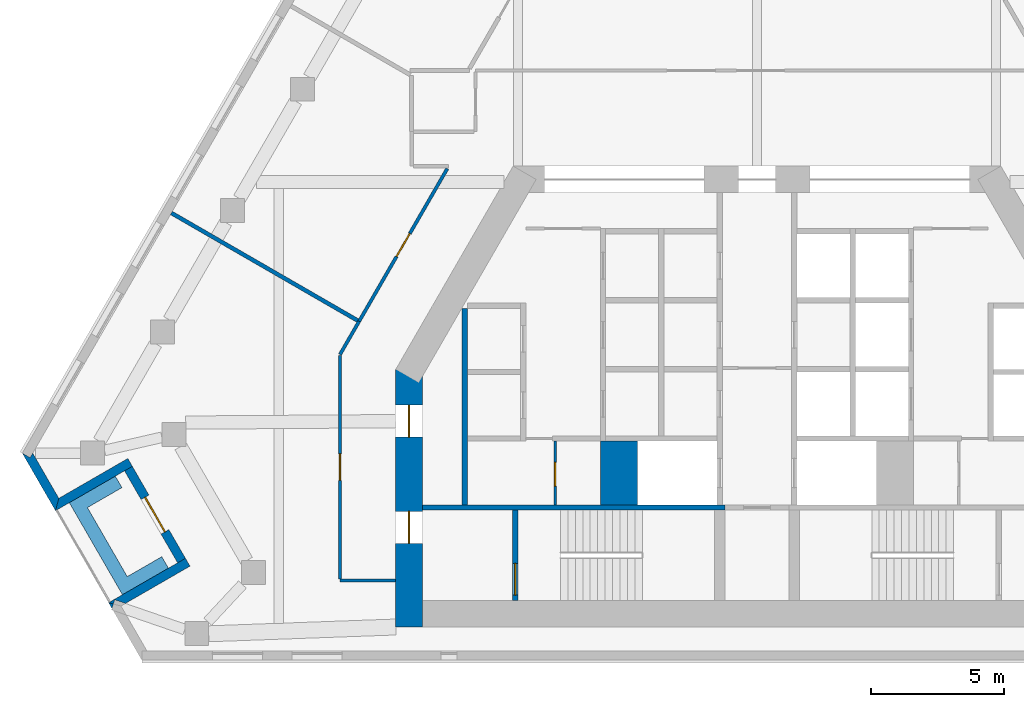
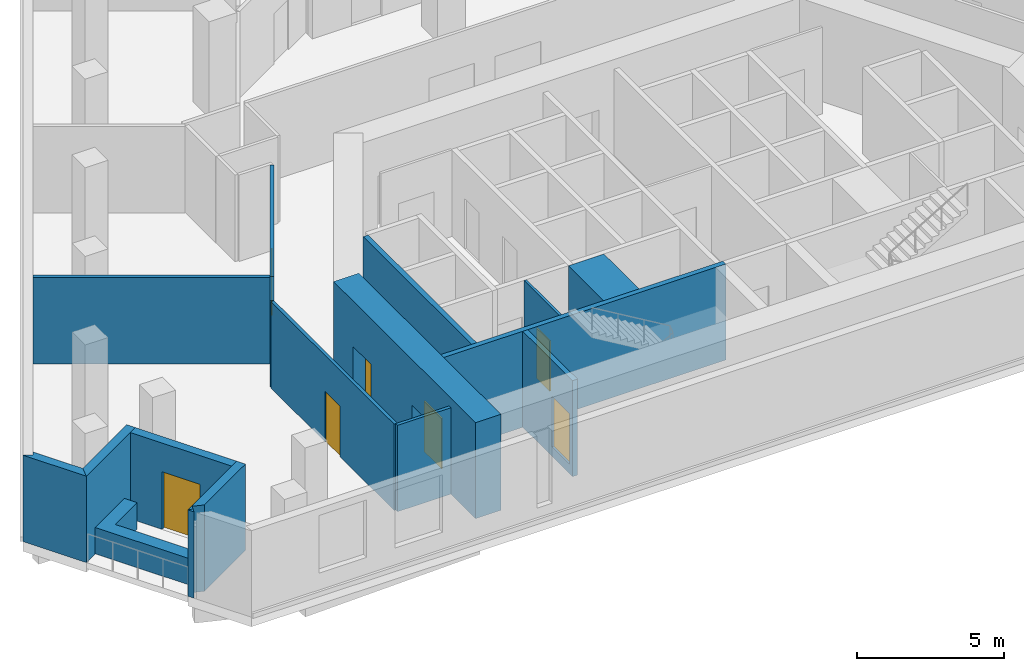
# One storey, part 3 of 9: 17 walls, 7 doors, 7 openings.
"""IFC4 building model written with IfcOpenShell, lengths in metres."""

from ifc_helpers import new_model, si_unit, direction, frame, frame_2d, origin, place, context, subcontext, project, spatial, polyline, rectangle, outline, extrude, material, layer, layer_set, type_object, element, fill, save


model = new_model("IFC4")

# Units and contexts
model_context = context("Model", 3, precision=1e-05, world=origin(), true_north=direction((0.0, 1.0)))
body_context = subcontext(model_context, "Body", "Model", "MODEL_VIEW")
ifc_project = project(units=[si_unit("LENGTHUNIT", "METRE"), si_unit("AREAUNIT", "SQUARE_METRE"), si_unit("VOLUMEUNIT", "CUBIC_METRE"), si_unit("PLANEANGLEUNIT", "RADIAN"), si_unit("MASSUNIT", "GRAM", prefix="KILO")], contexts=[model_context])

# Site, building, storey
site_placement = place(None, origin())
site = spatial("IfcSite", under=ifc_project, at=site_placement, CompositionType="ELEMENT")
building_placement = place(site_placement, origin())
building = spatial("IfcBuilding", under=site, at=building_placement, Name="Fogline Exchange Tower", CompositionType="ELEMENT")
storey_placement = place(building_placement, frame((0.0, 0.0, 194.10009765625)))
storey = spatial("IfcBuildingStorey", under=building, at=storey_placement, Name="L43", CompositionType="ELEMENT", Elevation=194.10009765625)

# Wall, opening, door
ifc_material_1 = material(Name="Blockwork partition", Category="masonry")
ifc_layer_1 = layer(ifc_material_1, 0.10009765625)
ifc_layer_set_1 = layer_set([ifc_layer_1], Name="CW10")
wall_type_1 = type_object("IfcWallType", Name="CW10", PredefinedType="PARTITIONING", material=ifc_layer_set_1)
wall_1_placement = place(storey_placement, frame((-7.60009765625, 5.85009765625, 0.0), z_axis=(0.0, 0.0, 1.0), x_axis=(0.0, 1.0, 0.0)))
wall_1 = element("IfcWall", 1, at=wall_1_placement, inside=storey, type_object=wall_type_1, Name="WC partition", PredefinedType="PARTITIONING", context=body_context, shape_type="SweptSolid", body=[
    extrude(rectangle(XDim=2.39990234375, YDim=0.10009765625, at=frame_2d((1.199951171875, 0.0))), origin(), (0.0, 0.0, 1.0), 3.599853515625),
])
opening_1_placement = place(wall_1_placement, frame((0.699951171875, 0.0, 0.0)))
opening_1 = element("IfcOpeningElement", 2, at=opening_1_placement, cuts=wall_1, Name="Opening T14-C013", PredefinedType="OPENING", context=body_context, shape_type="SweptSolid", body=[
    extrude(rectangle(XDim=0.89990234375, YDim=2.10009765625, at=frame_2d((0.449951171875, 1.050048828125))), frame((0.0, 0.06005859375, 0.0), z_axis=(0.0, -1.0, 0.0), x_axis=(1.0, 0.0, 0.0)), (0.0, 0.0, 1.0), 0.1201171875),
])
ifc_material_2 = material(Name="Steel and timber fire door", Category="steel")
door_type_1 = type_object("IfcDoorType", Name="D-CS1", OperationType="SINGLE_SWING_RIGHT", PredefinedType="DOOR", material=ifc_material_2)
door_1_placement = place(opening_1_placement, frame((0.89990234375, 0.0, 0.0), z_axis=(0.0, 0.0, 1.0), x_axis=(-1.0, 0.0, 0.0)))
door_1 = element("IfcDoor", 3, at=door_1_placement, inside=storey, type_object=door_type_1, Name="Door to Cleaner's Store", OperationType="SINGLE_SWING_RIGHT", OverallHeight=2.10009765625, OverallWidth=0.89990234375, PredefinedType="DOOR", context=body_context, shape_type="SweptSolid", body=[
    extrude(rectangle(XDim=0.89990234375, YDim=2.10009765625, at=frame_2d((0.449951171875, 1.050048828125))), frame((0.0, 0.02490234375, 0.0), z_axis=(0.0, -1.0, 0.0), x_axis=(1.0, 0.0, 0.0)), (0.0, 0.0, 1.0), 0.050048828125),
])
fill(opening_1, door_1)

# Walls
ifc_material_3 = material(Name="Concrete C60", Category="concrete")
ifc_layer_2 = layer(ifc_material_3, 1.39990234375)
ifc_layer_set_2 = layer_set([ifc_layer_2], Name="CW140")
wall_type_2 = type_object("IfcWallType", Name="CW140", PredefinedType="SOLIDWALL", material=ifc_layer_set_2)
wall_2_placement = place(storey_placement, frame((-5.199951171875, 5.85009765625, -0.400146484375), z_axis=(0.0, 0.0, 1.0), x_axis=(0.0, 1.0, 0.0)))
element("IfcWall", 4, at=wall_2_placement, inside=storey, type_object=wall_type_2, Name="Lift shaft block wall", PredefinedType="SOLIDWALL", context=body_context, shape_type="SweptSolid", body=[
    extrude(rectangle(XDim=2.39990234375, YDim=1.39990234375, at=frame_2d((1.199951171875, 0.0))), origin(), (0.0, 0.0, 1.0), 4.0),
])
ifc_material_4 = material(Name="Concrete C40", Category="concrete")
ifc_layer_3 = layer(ifc_material_4, 0.199951171875)
ifc_layer_set_3 = layer_set([ifc_layer_3], Name="CW20")
wall_type_3 = type_object("IfcWallType", Name="CW20", PredefinedType="SOLIDWALL", material=ifc_layer_set_3)
wall_3_placement = place(storey_placement, frame((-11.0, 5.85009765625, 0.0), z_axis=(0.0, 0.0, 1.0), x_axis=(0.0, 1.0, 0.0)))
element("IfcWall", 5, at=wall_3_placement, inside=storey, type_object=wall_type_3, Name="Service room wall", PredefinedType="SOLIDWALL", context=body_context, shape_type="SweptSolid", body=[
    extrude(rectangle(XDim=7.39990234375, YDim=0.199951171875, at=frame_2d((3.699951171875, 0.0))), origin(), (0.0, 0.0, 1.0), 3.599853515625),
])
ifc_layer_4 = layer(ifc_material_4, 0.199951171875)
ifc_layer_set_4 = layer_set([ifc_layer_4], Name="CW20R")
wall_type_4 = type_object("IfcWallType", Name="CW20R", PredefinedType="SOLIDWALL", material=ifc_layer_set_4)
wall_4_placement = place(storey_placement, frame((-12.60009765625, 5.75, -0.400146484375), z_axis=(0.0, 0.0, 1.0), x_axis=(1.0, 0.0, 0.0)))
element("IfcWall", 6, at=wall_4_placement, inside=storey, type_object=wall_type_4, Name="Stair enclosure wall", PredefinedType="SOLIDWALL", context=body_context, shape_type="SweptSolid", body=[
    extrude(rectangle(XDim=11.400146484375, YDim=0.199951171875, at=frame_2d((5.7001953125, 0.0))), origin(), (0.0, 0.0, 1.0), 4.0),
])

# Wall, opening, door
wall_5_placement = place(storey_placement, frame((-9.10009765625, 2.25, -0.400146484375), z_axis=(0.0, 0.0, 1.0), x_axis=(0.0, 1.0, 0.0)))
wall_5 = element("IfcWall", 7, at=wall_5_placement, inside=storey, type_object=wall_type_4, Name="Stair enclosure wall", PredefinedType="SOLIDWALL", context=body_context, shape_type="SweptSolid", body=[
    extrude(rectangle(XDim=3.39990234375, YDim=0.199951171875, at=frame_2d((1.699951171875, 0.0))), origin(), (0.0, 0.0, 1.0), 4.0),
])
opening_2_placement = place(wall_5_placement, frame((0.199951171875, 0.0, 0.39990234375)))
opening_2 = element("IfcOpeningElement", 8, at=opening_2_placement, cuts=wall_5, Name="Opening T14-C015", PredefinedType="OPENING", context=body_context, shape_type="SweptSolid", body=[
    extrude(rectangle(XDim=1.199951171875, YDim=2.10009765625, at=frame_2d((0.60009765625, 1.050048828125))), frame((0.0, 0.10986328125, 0.0), z_axis=(0.0, -1.0, 0.0), x_axis=(1.0, 0.0, 0.0)), (0.0, 0.0, 1.0), 0.219970703125),
])
door_type_2 = type_object("IfcDoorType", Name="D-ST1", OperationType="SINGLE_SWING_LEFT", PredefinedType="DOOR", material=ifc_material_2)
door_2_placement = place(opening_2_placement, frame((1.199951171875, 0.0, 0.0), z_axis=(0.0, 0.0, 1.0), x_axis=(-1.0, 0.0, 0.0)))
door_2 = element("IfcDoor", 9, at=door_2_placement, inside=storey, type_object=door_type_2, Name="Stair door ST1", OperationType="SINGLE_SWING_RIGHT", OverallHeight=2.10009765625, OverallWidth=1.199951171875, PredefinedType="DOOR", context=body_context, shape_type="SweptSolid", body=[
    extrude(rectangle(XDim=1.199951171875, YDim=2.10009765625, at=frame_2d((0.60009765625, 1.050048828125))), frame((0.0, 0.02490234375, 0.0), z_axis=(0.0, -1.0, 0.0), x_axis=(1.0, 0.0, 0.0)), (0.0, 0.0, 1.0), 0.050048828125),
])
fill(opening_2, door_2)

# Walls
ifc_material_5 = material(Name="Brick masonry", Category="masonry")
ifc_layer_5 = layer(ifc_material_5, 0.340087890625)
ifc_layer_set_5 = layer_set([ifc_layer_5], Name="FW1")
wall_type_5 = type_object("IfcWallType", Name="FW1", PredefinedType="SOLIDWALL", material=ifc_layer_set_5)
wall_6_placement = place(storey_placement, origin())
element("IfcWall", 10, at=wall_6_placement, inside=storey, type_object=wall_type_5, Name="Brick wall L43 SW-c1", PredefinedType="SOLIDWALL", context=body_context, shape_type="SweptSolid", body=[
    extrude(outline(polyline([(-26.408935546875, 5.6279296875), (-27.659912109375, 7.794921875), (-27.65966796875, 7.79541015625), (-27.36474609375, 7.625), (-27.266357421875, 7.79541015625), (-26.283935546875, 6.09375), (-26.40869140625, 5.6279296875), (-26.408935546875, 5.6279296875)])), origin(), (0.0, 0.0, 1.0), 3.599853515625),
])
wall_7_placement = place(storey_placement, origin())
element("IfcWall", 11, at=wall_7_placement, inside=storey, type_object=wall_type_5, Name="Brick wall L43 SW-s1", PredefinedType="SOLIDWALL", context=body_context, shape_type="SweptSolid", body=[
    extrude(outline(polyline([(-23.686279296875, 7.594482421875), (-23.515625, 7.298828125), (-23.810546875, 7.128662109375), (-26.409423828125, 5.628173828125), (-26.40966796875, 5.62841796875), (-26.284912109375, 6.093994140625), (-23.686279296875, 7.594482421875)])), origin(), (0.0, 0.0, 1.0), 3.599853515625),
])

# Wall, opening, door
wall_8_placement = place(storey_placement, frame((-23.66357421875, 7.214111328125, 0.0), z_axis=(0.0, 0.0, 1.0), x_axis=(0.49999894854, -0.866026010844, 0.0)))
wall_8 = element("IfcWall", 12, at=wall_8_placement, inside=storey, type_object=wall_type_5, Name="Brick wall L43 SW-bk", PredefinedType="SOLIDWALL", context=body_context, shape_type="SweptSolid", body=[
    extrude(rectangle(XDim=4.0, YDim=0.340087890625, at=frame_2d((2.0, 0.0))), origin(), (0.0, 0.0, 1.0), 3.599853515625),
])
opening_3_placement = place(wall_8_placement, frame((1.25, 0.0, 0.0)))
opening_3 = element("IfcOpeningElement", 13, at=opening_3_placement, cuts=wall_8, Name="Opening T14-E021", PredefinedType="OPENING", context=body_context, shape_type="SweptSolid", body=[
    extrude(rectangle(XDim=1.5, YDim=2.39990234375, at=frame_2d((0.75, 1.199951171875))), frame((0.0, 0.18017578125, 0.0), z_axis=(0.0, -1.0, 0.0), x_axis=(1.0, 0.0, 0.0)), (0.0, 0.0, 1.0), 0.360107421875),
])
ifc_material_6 = material(Name="Aluminium and glass", Category="aluminium")
door_type_3 = type_object("IfcDoorType", Name="ED4", OperationType="SINGLE_SWING_LEFT", PredefinedType="DOOR", material=ifc_material_6)
door_3_placement = place(opening_3_placement, frame((1.5, 0.0, 0.0), z_axis=(0.0, 0.0, 1.0), x_axis=(-1.0, 0.0, 0.0)))
door_3 = element("IfcDoor", 14, at=door_3_placement, inside=storey, type_object=door_type_3, Name="Balcony door L43 SW", OperationType="DOUBLE_DOOR_SINGLE_SWING", OverallHeight=2.39990234375, OverallWidth=1.5, PredefinedType="DOOR", context=body_context, shape_type="SweptSolid", body=[
    extrude(rectangle(XDim=1.5, YDim=2.39990234375, at=frame_2d((0.75, 1.199951171875))), frame((0.0, 0.02490234375, 0.0), z_axis=(0.0, -1.0, 0.0), x_axis=(1.0, 0.0, 0.0)), (0.0, 0.0, 1.0), 0.050048828125),
])
fill(opening_3, door_3)

# Walls
wall_9_placement = place(storey_placement, origin())
element("IfcWall", 15, at=wall_9_placement, inside=storey, type_object=wall_type_5, Name="Brick wall L43 SW-s2", PredefinedType="SOLIDWALL", context=body_context, shape_type="SweptSolid", body=[
    extrude(outline(polyline([(-21.81103515625, 3.66552734375), (-21.51611328125, 3.8359375), (-21.345458984375, 3.540283203125), (-23.7763671875, 2.136962890625), (-24.17431640625, 2.274169921875), (-24.22900390625, 2.1162109375), (-24.41015625, 2.164794921875), (-24.41015625, 2.1650390625), (-21.81103515625, 3.66552734375)])), origin(), (0.0, 0.0, 1.0), 3.599853515625),
])
wall_10_placement = place(storey_placement, origin())
element("IfcWall", 16, at=wall_10_placement, inside=storey, type_object=wall_type_5, Name="Brick wall L43 SW-c2", PredefinedType="SOLIDWALL", context=body_context, shape_type="SweptSolid", body=[
    extrude(outline(polyline([(-24.409912109375, 2.165771484375), (-24.40966796875, 2.166015625), (-24.228515625, 2.117431640625), (-24.285888671875, 1.950927734375), (-24.409912109375, 2.165771484375)])), origin(), (0.0, 0.0, 1.0), 3.599853515625),
])
ifc_material_7 = material(Name="Concrete C30", Category="concrete")
ifc_layer_6 = layer(ifc_material_7, 0.199951171875)
ifc_layer_set_6 = layer_set([ifc_layer_6], Name="PL1")
wall_type_6 = type_object("IfcWallType", Name="PL1", PredefinedType="USERDEFINED", material=ifc_layer_set_6)
wall_11_placement = place(storey_placement, origin())
element("IfcWall", 17, at=wall_11_placement, inside=storey, type_object=wall_type_6, Name="PLANTER balcony L43 SW", ObjectType="PLANTER", PredefinedType="USERDEFINED", context=body_context, shape_type="SweptSolid", body=[
    extrude(outline(polyline([(-22.4072265625, 3.898193359375), (-23.706298828125, 3.148193359375), (-25.206298828125, 5.74609375), (-23.9072265625, 6.49609375), (-24.1572265625, 6.92919921875), (-25.889404296875, 5.92919921875), (-25.639404296875, 5.49609375), (-23.889404296875, 2.465087890625), (-23.456298828125, 2.715087890625), (-23.456298828125, 2.715087890625), (-22.1572265625, 3.465087890625), (-22.4072265625, 3.898193359375)])), origin(), (0.0, 0.0, 1.0), 1.099853515625),
])

# Wall, opening, door
ifc_material_8 = material(Name="Plasterboard corridor partition with mineral wool, 2 layers each side")
ifc_layer_7 = layer(ifc_material_8, 0.125)
ifc_layer_set_7 = layer_set([ifc_layer_7], Name="PW2")
wall_type_7 = type_object("IfcWallType", Name="PW2", PredefinedType="PARTITIONING", material=ifc_layer_set_7)
wall_12_placement = place(storey_placement, frame((-14.9794921875, 12.756103515625, 0.0), z_axis=(0.0, 0.0, 1.0), x_axis=(0.499995140796, 0.866028209229, 0.0)))
wall_12 = element("IfcWall", 18, at=wall_12_placement, inside=storey, type_object=wall_type_7, Name="wall-L43-W014", PredefinedType="PARTITIONING", context=body_context, shape_type="SweptSolid", body=[
    extrude(rectangle(XDim=6.63916015625, YDim=0.125, at=frame_2d((3.319580078125, 0.0))), origin(), (0.0, 0.0, 1.0), 3.599853515625),
])
opening_4_placement = place(wall_12_placement, frame((2.819580078125, 0.0, 0.0)))
opening_4 = element("IfcOpeningElement", 19, at=opening_4_placement, cuts=wall_12, Name="Opening T14-D005", PredefinedType="OPENING", context=body_context, shape_type="SweptSolid", body=[
    extrude(rectangle(XDim=1.0, YDim=2.10009765625, at=frame_2d((0.5, 1.050048828125))), frame((0.0, 0.072509765625, 0.0), z_axis=(0.0, -1.0, 0.0), x_axis=(1.0, 0.0, 0.0)), (0.0, 0.0, 1.0), 0.14501953125),
])
ifc_material_9 = material(Name="Fire-rated timber door leaf with steel frame", Category="steel")
door_type_4 = type_object("IfcDoorType", Name="D3", OperationType="SINGLE_SWING_LEFT", PredefinedType="DOOR", material=ifc_material_9)
door_4_placement = place(opening_4_placement, origin())
door_4 = element("IfcDoor", 20, at=door_4_placement, inside=storey, type_object=door_type_4, Name="door-L43-D005", OperationType="SINGLE_SWING_LEFT", OverallHeight=2.10009765625, OverallWidth=1.0, PredefinedType="DOOR", context=body_context, shape_type="SweptSolid", body=[
    extrude(rectangle(XDim=1.0, YDim=2.10009765625, at=frame_2d((0.5, 1.050048828125))), frame((0.0, 0.02490234375, 0.0), z_axis=(0.0, -1.0, 0.0), x_axis=(1.0, 0.0, 0.0)), (0.0, 0.0, 1.0), 0.050048828125),
])
fill(opening_4, door_4)

# Wall
wall_13_placement = place(storey_placement, frame((-13.60009765625, 3.0, 0.0), z_axis=(0.0, 0.0, 1.0), x_axis=(-1.0, 0.0, 0.0)))
element("IfcWall", 21, at=wall_13_placement, inside=storey, type_object=wall_type_7, Name="wall-L43-W015", PredefinedType="PARTITIONING", context=body_context, shape_type="SweptSolid", body=[
    extrude(rectangle(XDim=2.099853515625, YDim=0.125, at=frame_2d((1.0498046875, 0.0))), origin(), (0.0, 0.0, 1.0), 3.599853515625),
])

# Wall, opening, door
wall_14_placement = place(storey_placement, frame((-15.699951171875, 3.0625, 0.0), z_axis=(0.0, 0.0, 1.0), x_axis=(0.0, 1.0, 0.0)))
wall_14 = element("IfcWall", 22, at=wall_14_placement, inside=storey, type_object=wall_type_7, Name="wall-L43-W016", PredefinedType="PARTITIONING", context=body_context, shape_type="SweptSolid", body=[
    extrude(rectangle(XDim=8.41455078125, YDim=0.125, at=frame_2d((4.207275390625, 0.0))), origin(), (0.0, 0.0, 1.0), 3.599853515625),
])
opening_5_placement = place(wall_14_placement, frame((3.707275390625, 0.0, 0.0)))
opening_5 = element("IfcOpeningElement", 23, at=opening_5_placement, cuts=wall_14, Name="Opening T14-D006", PredefinedType="OPENING", context=body_context, shape_type="SweptSolid", body=[
    extrude(rectangle(XDim=1.0, YDim=2.10009765625, at=frame_2d((0.5, 1.050048828125))), frame((0.0, 0.072509765625, 0.0), z_axis=(0.0, -1.0, 0.0), x_axis=(1.0, 0.0, 0.0)), (0.0, 0.0, 1.0), 0.14501953125),
])
door_5_placement = place(opening_5_placement, origin())
door_5 = element("IfcDoor", 24, at=door_5_placement, inside=storey, type_object=door_type_4, Name="door-L43-D006", OperationType="SINGLE_SWING_LEFT", OverallHeight=2.10009765625, OverallWidth=1.0, PredefinedType="DOOR", context=body_context, shape_type="SweptSolid", body=[
    extrude(rectangle(XDim=1.0, YDim=2.10009765625, at=frame_2d((0.5, 1.050048828125))), frame((0.0, 0.02490234375, 0.0), z_axis=(0.0, -1.0, 0.0), x_axis=(1.0, 0.0, 0.0)), (0.0, 0.0, 1.0), 0.050048828125),
])
fill(opening_5, door_5)

# Walls
wall_15_placement = place(storey_placement, frame((-15.699951171875, 11.508056640625, 0.0), z_axis=(0.0, 0.0, 1.0), x_axis=(0.499947322133, 0.866055815229, 0.0)))
element("IfcWall", 25, at=wall_15_placement, inside=storey, type_object=wall_type_7, Name="wall-L43-W017", PredefinedType="PARTITIONING", context=body_context, shape_type="SweptSolid", body=[
    extrude(rectangle(XDim=1.441162109375, YDim=0.125, at=frame_2d((0.720703125, 0.0))), origin(), (0.0, 0.0, 1.0), 3.599853515625),
])
ifc_material_10 = material(Name="Plasterboard demising partition with mineral wool and acoustic board")
ifc_layer_8 = layer(ifc_material_10, 0.14990234375)
ifc_layer_set_8 = layer_set([ifc_layer_8], Name="PW3")
wall_type_8 = type_object("IfcWallType", Name="PW3", PredefinedType="PARTITIONING", material=ifc_layer_set_8)
wall_16_placement = place(storey_placement, frame((-15.033447265625, 12.787353515625, 0.0), z_axis=(0.0, 0.0, 1.0), x_axis=(-0.866015374072, 0.50001737157, 0.0)))
element("IfcWall", 26, at=wall_16_placement, inside=storey, type_object=wall_type_8, Name="wall-L43-W035", PredefinedType="PARTITIONING", context=body_context, shape_type="SweptSolid", body=[
    extrude(rectangle(XDim=8.097412109375, YDim=0.14990234375, at=frame_2d((4.048828125, 0.0))), origin(), (0.0, 0.0, 1.0), 3.599853515625),
])

# Wall, openings, doors
ifc_layer_9 = layer(ifc_material_3, 1.0)
ifc_layer_set_9 = layer_set([ifc_layer_9], Name="SW03")
wall_type_9 = type_object("IfcWallType", Name="SW03", PredefinedType="SHEAR", material=ifc_layer_set_9)
wall_17_placement = place(storey_placement, frame((-13.10009765625, 10.9453125, 0.0), z_axis=(0.0, 0.0, 1.0), x_axis=(0.0, -1.0, 0.0)))
wall_17 = element("IfcWall", 27, at=wall_17_placement, inside=storey, type_object=wall_type_9, Name="L43-W906", PredefinedType="SHEAR", context=body_context, shape_type="SweptSolid", body=[
    extrude(rectangle(XDim=9.6953125, YDim=1.0, at=frame_2d((4.84765625, 0.0))), origin(), (0.0, 0.0, 1.0), 4.0),
])
opening_6_placement = place(wall_17_placement, frame((5.345458984375, 0.0, 0.0)))
opening_6 = element("IfcOpeningElement", 28, at=opening_6_placement, cuts=wall_17, Name="Opening T14-C014", PredefinedType="OPENING", context=body_context, shape_type="SweptSolid", body=[
    extrude(rectangle(XDim=1.199951171875, YDim=2.10009765625, at=frame_2d((0.60009765625, 1.050048828125))), frame((0.0, 0.510009765625, 0.0), z_axis=(0.0, -1.0, 0.0), x_axis=(1.0, 0.0, 0.0)), (0.0, 0.0, 1.0), 1.02001953125),
])
opening_7_placement = place(wall_17_placement, frame((1.345458984375, 0.0, 0.0)))
opening_7 = element("IfcOpeningElement", 29, at=opening_7_placement, cuts=wall_17, Name="Opening T14-C016", PredefinedType="OPENING", context=body_context, shape_type="SweptSolid", body=[
    extrude(rectangle(XDim=1.199951171875, YDim=2.10009765625, at=frame_2d((0.60009765625, 1.050048828125))), frame((0.0, 0.510009765625, 0.0), z_axis=(0.0, -1.0, 0.0), x_axis=(1.0, 0.0, 0.0)), (0.0, 0.0, 1.0), 1.02001953125),
])
door_type_5 = type_object("IfcDoorType", Name="D-FR1", OperationType="SINGLE_SWING_RIGHT", PredefinedType="DOOR", material=ifc_material_2)
door_6_placement = place(opening_6_placement, origin())
door_6 = element("IfcDoor", 30, at=door_6_placement, inside=storey, type_object=door_type_5, Name="Front room door ST1", OperationType="SINGLE_SWING_LEFT", OverallHeight=2.10009765625, OverallWidth=1.199951171875, PredefinedType="DOOR", context=body_context, shape_type="SweptSolid", body=[
    extrude(rectangle(XDim=1.199951171875, YDim=2.10009765625, at=frame_2d((0.60009765625, 1.050048828125))), frame((0.0, 0.02490234375, 0.0), z_axis=(0.0, -1.0, 0.0), x_axis=(1.0, 0.0, 0.0)), (0.0, 0.0, 1.0), 0.050048828125),
])
fill(opening_6, door_6)
door_type_6 = type_object("IfcDoorType", Name="D-SV1", OperationType="SINGLE_SWING_LEFT", PredefinedType="DOOR", material=ifc_material_2)
door_7_placement = place(opening_7_placement, origin())
door_7 = element("IfcDoor", 31, at=door_7_placement, inside=storey, type_object=door_type_6, Name="Service door W", OperationType="SINGLE_SWING_LEFT", OverallHeight=2.10009765625, OverallWidth=1.199951171875, PredefinedType="DOOR", context=body_context, shape_type="SweptSolid", body=[
    extrude(rectangle(XDim=1.199951171875, YDim=2.10009765625, at=frame_2d((0.60009765625, 1.050048828125))), frame((0.0, 0.02490234375, 0.0), z_axis=(0.0, -1.0, 0.0), x_axis=(1.0, 0.0, 0.0)), (0.0, 0.0, 1.0), 0.050048828125),
])
fill(opening_7, door_7)

save(model, "model.ifc")
